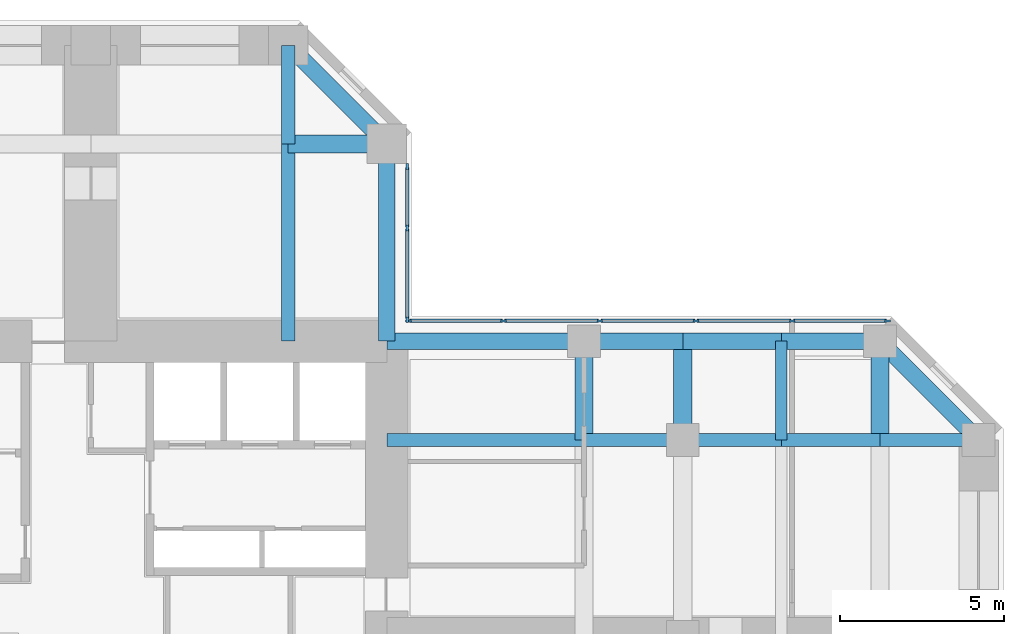
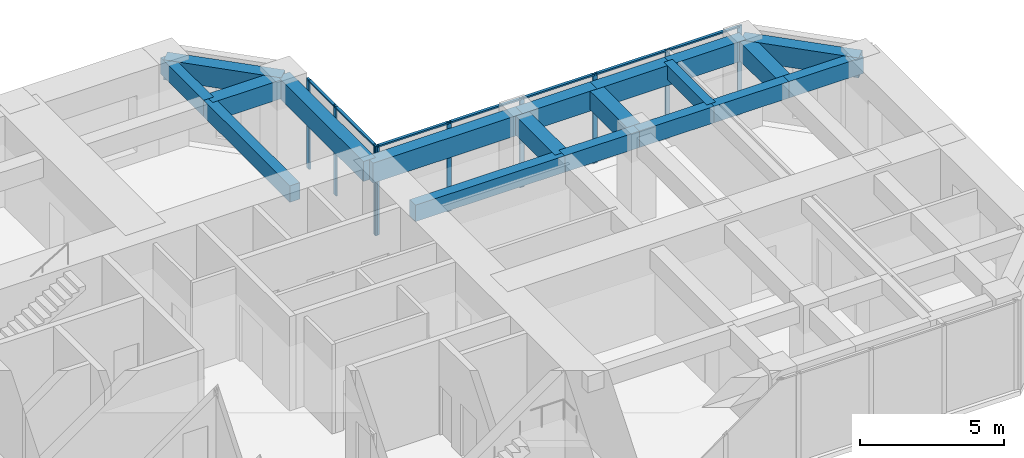
# One storey, part 6 of 12: 19 beams, 16 members, 2 elements without a shape of their own.
"""IFC4 building model written with IfcOpenShell, lengths in metres."""

from ifc_helpers import new_model, si_unit, direction, frame, origin, origin_2d, place, context, subcontext, project, spatial, rectangle, extrude, material, material_profile, profile_set, type_object, element, aggregate, save


model = new_model("IFC4")

# Units and contexts
model_context = context("Model", 3, precision=1e-05, world=origin(), true_north=direction((0.0, 1.0)))
body_context = subcontext(model_context, "Body", "Model", "MODEL_VIEW")
ifc_project = project(units=[si_unit("LENGTHUNIT", "METRE"), si_unit("AREAUNIT", "SQUARE_METRE"), si_unit("VOLUMEUNIT", "CUBIC_METRE"), si_unit("PLANEANGLEUNIT", "RADIAN"), si_unit("MASSUNIT", "GRAM", prefix="KILO")], contexts=[model_context])

# Site, building, storey
site_placement = place(None, origin())
site = spatial("IfcSite", under=ifc_project, at=site_placement, CompositionType="ELEMENT")
building_placement = place(site_placement, origin())
building = spatial("IfcBuilding", under=site, at=building_placement, Name="Torre Cruceta", CompositionType="ELEMENT")
storey_placement = place(building_placement, frame((0.0, 0.0, 108.5)))
storey = spatial("IfcBuildingStorey", under=building, at=storey_placement, Name="L26", CompositionType="ELEMENT", Elevation=108.5)

# Beams
ifc_material_1 = material(Name="Concrete G60 (fck 60 MPa)", Category="concrete")
ifc_material_profile_1 = material_profile(ifc_material_1, rectangle(XDim=0.39990234375, YDim=0.699951171875, at=origin_2d()), Name="RC 400X700")
ifc_profile_set_1 = profile_set([ifc_material_profile_1], Name="Concrete G60 (fck 60 MPa)")
beam_type_1 = type_object("IfcBeamType", Name="COLUMN LINE BEAM RC 400X700", PredefinedType="BEAM", material=ifc_profile_set_1)
beam_1_placement = place(storey_placement, frame((6.0, 9.0, 3.449951171875), z_axis=(0.0, 1.0, 0.0), x_axis=(-1.0, 0.0, 0.0)))
element("IfcBeam", 1, at=beam_1_placement, inside=storey, type_object=beam_type_1, Name="LB5 L26 N col- 1", PredefinedType="BEAM", context=body_context, shape_type="SweptSolid", body=[
    extrude(rectangle(XDim=0.39990234375, YDim=0.699951171875, at=origin_2d()), origin(), (0.0, 0.0, 1.0), 6.0),
])
beam_2_placement = place(storey_placement, frame((6.0, 15.0, 3.449951171875), z_axis=(0.0, 1.0, 0.0), x_axis=(-1.0, 0.0, 0.0)))
element("IfcBeam", 2, at=beam_2_placement, inside=storey, type_object=beam_type_1, Name="LB5 L26 N col- 2", PredefinedType="BEAM", context=body_context, shape_type="SweptSolid", body=[
    extrude(rectangle(XDim=0.39990234375, YDim=0.699951171875, at=origin_2d()), origin(), (0.0, 0.0, 1.0), 3.0),
])
beam_3_placement = place(storey_placement, frame((9.0, 6.0, 3.449951171875), z_axis=(1.0, 0.0, 0.0), x_axis=(0.0, 1.0, 0.0)))
element("IfcBeam", 3, at=beam_3_placement, inside=storey, type_object=beam_type_1, Name="LB5 L26 E col+ 1", PredefinedType="BEAM", context=body_context, shape_type="SweptSolid", body=[
    extrude(rectangle(XDim=0.39990234375, YDim=0.699951171875, at=origin_2d()), origin(), (0.0, 0.0, 1.0), 6.0),
])
for number, where, z_axis, x_axis, name in (
    (4, (15.0, 6.0, 3.449951171875), (1.0, 0.0, 0.0), (0.0, 1.0, 0.0), "LB5 L26 E col+ 2"),
    (5, (18.0, 6.0, 3.449951171875), (1.0, 0.0, 0.0), (0.0, 1.0, 0.0), "LB5 L26 E col+ 3"),
    (6, (21.0, 6.0, 3.449951171875), (1.0, 0.0, 0.0), (0.0, 1.0, 0.0), "LB5 L26 E col+ 4"),
    (7, (24.0, 6.0, 3.449951171875), (1.0, 0.0, 0.0), (0.0, 1.0, 0.0), "LB5 L26 E col+ 5"),
):
    element("IfcBeam", number, at=place(storey_placement, frame(where, z_axis=z_axis, x_axis=x_axis)), inside=storey, type_object=beam_type_1, Name=name, PredefinedType="BEAM", context=body_context, shape_type="SweptSolid", body=[
        extrude(rectangle(XDim=0.39990234375, YDim=0.699951171875, at=origin_2d()), origin(), (0.0, 0.0, 1.0), 3.0),
    ])
ifc_material_2 = material(Name="Concrete G60 (fck 60 MPa)", Category="concrete")
ifc_material_profile_2 = material_profile(ifc_material_2, rectangle(XDim=0.550048828125, YDim=0.800048828125, at=origin_2d()), Name="RC 550X800")
ifc_profile_set_2 = profile_set([ifc_material_profile_2], Name="Concrete G60 (fck 60 MPa)")
beam_type_2 = type_object("IfcBeamType", Name="CROSS BEAM RC 550X800", PredefinedType="BEAM", material=ifc_profile_set_2)
for number, where, z_axis, x_axis, name in (
    (8, (9.0, 15.0, 3.39990234375), (-1.0, 0.0, 0.0), (0.0, -1.0, 0.0), "GB5 L26 N cross15 1"),
    (9, (15.0, 6.0, 3.39990234375), (0.0, 1.0, 0.0), (-1.0, 0.0, 0.0), "GB5 L26 E cross15 4"),
    (10, (18.0, 6.0, 3.39990234375), (0.0, 1.0, 0.0), (-1.0, 0.0, 0.0), "GB5 L26 E cross18 4"),
    (11, (24.0, 6.0, 3.39990234375), (0.0, 1.0, 0.0), (-1.0, 0.0, 0.0), "GB5 L26 E cross24 4"),
):
    element("IfcBeam", number, at=place(storey_placement, frame(where, z_axis=z_axis, x_axis=x_axis)), inside=storey, type_object=beam_type_2, Name=name, PredefinedType="BEAM", context=body_context, shape_type="SweptSolid", body=[
        extrude(rectangle(XDim=0.550048828125, YDim=0.800048828125, at=origin_2d()), origin(), (0.0, 0.0, 1.0), 3.0),
    ])

# Curtain wall, members
ifc_material_3 = material(Name="Aluminium unitised curtain wall", Category="aluminium")
curtain_wall_type = type_object("IfcCurtainWallType", Name="CURTAIN WALL CW-B OFFICE MID RISE", PredefinedType="USERDEFINED", material=ifc_material_3)
curtain_wall_1_placement = place(storey_placement, origin())
curtain_wall_1 = element("IfcCurtainWall", 12, at=curtain_wall_1_placement, inside=storey, type_object=curtain_wall_type, Name="CW-B L26 E side 04", ObjectType="UNITISED", PredefinedType="USERDEFINED")
ifc_material_4 = material(Name="Aluminium mullion", Category="aluminium")
ifc_material_profile_3 = material_profile(ifc_material_4, rectangle(XDim=0.06494140625, YDim=0.179931640625, at=origin_2d()), Name="AL 65X180")
ifc_profile_set_3 = profile_set([ifc_material_profile_3], Name="Aluminium mullion")
member_type_1 = type_object("IfcMemberType", Name="CW-B MULLION 65X180", PredefinedType="MULLION", material=ifc_profile_set_3)
member_1_placement = place(storey_placement, frame((24.224365234375, 9.6201171875, 0.0), z_axis=(0.0, 0.0, 1.0), x_axis=(0.0, -1.0, 0.0)))
member_1 = element("IfcMember", 13, at=member_1_placement, type_object=member_type_1, Name="CW-B mullion 1", PredefinedType="MULLION", context=body_context, shape_type="SweptSolid", body=[
    extrude(rectangle(XDim=0.06494140625, YDim=0.179931640625, at=origin_2d()), origin(), (0.0, 0.0, 1.0), 3.800048828125),
])
member_2_placement = place(storey_placement, frame((21.329345703125, 9.6201171875, 0.0), z_axis=(0.0, 0.0, 1.0), x_axis=(0.0, -1.0, 0.0)))
member_2 = element("IfcMember", 14, at=member_2_placement, type_object=member_type_1, Name="CW-B mullion 2", PredefinedType="MULLION", context=body_context, shape_type="SweptSolid", body=[
    extrude(rectangle(XDim=0.06494140625, YDim=0.179931640625, at=origin_2d()), origin(), (0.0, 0.0, 1.0), 3.800048828125),
])
member_3_placement = place(storey_placement, frame((18.402099609375, 9.6201171875, 0.0), z_axis=(0.0, 0.0, 1.0), x_axis=(0.0, -1.0, 0.0)))
member_3 = element("IfcMember", 15, at=member_3_placement, type_object=member_type_1, Name="CW-B mullion 3", PredefinedType="MULLION", context=body_context, shape_type="SweptSolid", body=[
    extrude(rectangle(XDim=0.06494140625, YDim=0.179931640625, at=origin_2d()), origin(), (0.0, 0.0, 1.0), 3.800048828125),
])
member_4_placement = place(storey_placement, frame((15.474609375, 9.6201171875, 0.0), z_axis=(0.0, 0.0, 1.0), x_axis=(0.0, -1.0, 0.0)))
member_4 = element("IfcMember", 16, at=member_4_placement, type_object=member_type_1, Name="CW-B mullion 4", PredefinedType="MULLION", context=body_context, shape_type="SweptSolid", body=[
    extrude(rectangle(XDim=0.06494140625, YDim=0.179931640625, at=origin_2d()), origin(), (0.0, 0.0, 1.0), 3.800048828125),
])
member_5_placement = place(storey_placement, frame((12.54736328125, 9.6201171875, 0.0), z_axis=(0.0, 0.0, 1.0), x_axis=(0.0, -1.0, 0.0)))
member_5 = element("IfcMember", 17, at=member_5_placement, type_object=member_type_1, Name="CW-B mullion 5", PredefinedType="MULLION", context=body_context, shape_type="SweptSolid", body=[
    extrude(rectangle(XDim=0.06494140625, YDim=0.179931640625, at=origin_2d()), origin(), (0.0, 0.0, 1.0), 3.800048828125),
])
member_6_placement = place(storey_placement, frame((9.652587890625, 9.6201171875, 0.0), z_axis=(0.0, 0.0, 1.0), x_axis=(0.0, -1.0, 0.0)))
member_6 = element("IfcMember", 18, at=member_6_placement, type_object=member_type_1, Name="CW-B mullion 6", PredefinedType="MULLION", context=body_context, shape_type="SweptSolid", body=[
    extrude(rectangle(XDim=0.06494140625, YDim=0.179931640625, at=origin_2d()), origin(), (0.0, 0.0, 1.0), 3.800048828125),
])

curtain_wall_2_placement = place(storey_placement, origin())
curtain_wall_2 = element("IfcCurtainWall", 19, at=curtain_wall_2_placement, inside=storey, type_object=curtain_wall_type, Name="CW-B L26 N side 05", ObjectType="UNITISED", PredefinedType="USERDEFINED")
member_7_placement = place(storey_placement, frame((9.6201171875, 9.652587890625, 0.0), z_axis=(0.0, 0.0, 1.0), x_axis=(-1.0, 0.0, 0.0)))
member_7 = element("IfcMember", 20, at=member_7_placement, type_object=member_type_1, Name="CW-B mullion 1", PredefinedType="MULLION", context=body_context, shape_type="SweptSolid", body=[
    extrude(rectangle(XDim=0.06494140625, YDim=0.179931640625, at=origin_2d()), origin(), (0.0, 0.0, 1.0), 3.800048828125),
])
member_8_placement = place(storey_placement, frame((9.6201171875, 12.4384765625, 0.0), z_axis=(0.0, 0.0, 1.0), x_axis=(-1.0, 0.0, 0.0)))
member_8 = element("IfcMember", 21, at=member_8_placement, type_object=member_type_1, Name="CW-B mullion 2", PredefinedType="MULLION", context=body_context, shape_type="SweptSolid", body=[
    extrude(rectangle(XDim=0.06494140625, YDim=0.179931640625, at=origin_2d()), origin(), (0.0, 0.0, 1.0), 3.800048828125),
])
member_9_placement = place(storey_placement, frame((9.6201171875, 14.30908203125, 0.0), z_axis=(0.0, 0.0, 1.0), x_axis=(-1.0, 0.0, 0.0)))
member_9 = element("IfcMember", 22, at=member_9_placement, type_object=member_type_1, Name="CW-B mullion 3", PredefinedType="MULLION", context=body_context, shape_type="SweptSolid", body=[
    extrude(rectangle(XDim=0.06494140625, YDim=0.179931640625, at=origin_2d()), origin(), (0.0, 0.0, 1.0), 3.800048828125),
])

# Member
ifc_material_5 = material(Name="Aluminium transom", Category="aluminium")
ifc_material_profile_4 = material_profile(ifc_material_5, rectangle(XDim=0.110107421875, YDim=0.06494140625, at=origin_2d()), Name="AL 110X65")
ifc_profile_set_4 = profile_set([ifc_material_profile_4], Name="Aluminium transom")
member_type_2 = type_object("IfcMemberType", Name="CW-B TRANSOM 65X110", PredefinedType="USERDEFINED", material=ifc_profile_set_4)
member_10_placement = place(storey_placement, frame((24.19189453125, 9.6201171875, 3.767578125), z_axis=(-1.0, 0.0, 0.0), x_axis=(0.0, -1.0, 0.0)))
member_10 = element("IfcMember", 23, at=member_10_placement, type_object=member_type_2, Name="CW-B transom 1", ObjectType="TRANSOM", PredefinedType="USERDEFINED", context=body_context, shape_type="SweptSolid", body=[
    extrude(rectangle(XDim=0.110107421875, YDim=0.06494140625, at=origin_2d()), origin(), (0.0, 0.0, 1.0), 2.829833984375),
])

member_11_placement = place(storey_placement, frame((21.296875, 9.6201171875, 3.767578125), z_axis=(-1.0, 0.0, 0.0), x_axis=(0.0, -1.0, 0.0)))
member_11 = element("IfcMember", 24, at=member_11_placement, type_object=member_type_2, Name="CW-B transom 2", ObjectType="TRANSOM", PredefinedType="USERDEFINED", context=body_context, shape_type="SweptSolid", body=[
    extrude(rectangle(XDim=0.110107421875, YDim=0.06494140625, at=origin_2d()), origin(), (0.0, 0.0, 1.0), 2.8623046875),
])

member_12_placement = place(storey_placement, frame((18.36962890625, 9.6201171875, 3.767578125), z_axis=(-1.0, 0.0, 0.0), x_axis=(0.0, -1.0, 0.0)))
member_12 = element("IfcMember", 25, at=member_12_placement, type_object=member_type_2, Name="CW-B transom 3", ObjectType="TRANSOM", PredefinedType="USERDEFINED", context=body_context, shape_type="SweptSolid", body=[
    extrude(rectangle(XDim=0.110107421875, YDim=0.06494140625, at=origin_2d()), origin(), (0.0, 0.0, 1.0), 2.8623046875),
])

member_13_placement = place(storey_placement, frame((15.442138671875, 9.6201171875, 3.767578125), z_axis=(-1.0, 0.0, 0.0), x_axis=(0.0, -1.0, 0.0)))
member_13 = element("IfcMember", 26, at=member_13_placement, type_object=member_type_2, Name="CW-B transom 4", ObjectType="TRANSOM", PredefinedType="USERDEFINED", context=body_context, shape_type="SweptSolid", body=[
    extrude(rectangle(XDim=0.110107421875, YDim=0.06494140625, at=origin_2d()), origin(), (0.0, 0.0, 1.0), 2.8623046875),
])

member_14_placement = place(storey_placement, frame((12.514892578125, 9.6201171875, 3.767578125), z_axis=(-1.0, 0.0, 0.0), x_axis=(0.0, -1.0, 0.0)))
member_14 = element("IfcMember", 27, at=member_14_placement, type_object=member_type_2, Name="CW-B transom 5", ObjectType="TRANSOM", PredefinedType="USERDEFINED", context=body_context, shape_type="SweptSolid", body=[
    extrude(rectangle(XDim=0.110107421875, YDim=0.06494140625, at=origin_2d()), origin(), (0.0, 0.0, 1.0), 2.829833984375),
])

aggregate(curtain_wall_1, [member_1, member_2, member_3, member_4, member_5, member_6, member_10, member_11, member_12, member_13, member_14])

member_15_placement = place(storey_placement, frame((9.6201171875, 9.68505859375, 3.767578125), z_axis=(0.0, 1.0, 0.0), x_axis=(-1.0, 0.0, 0.0)))
member_15 = element("IfcMember", 28, at=member_15_placement, type_object=member_type_2, Name="CW-B transom 1", ObjectType="TRANSOM", PredefinedType="USERDEFINED", context=body_context, shape_type="SweptSolid", body=[
    extrude(rectangle(XDim=0.110107421875, YDim=0.06494140625, at=origin_2d()), origin(), (0.0, 0.0, 1.0), 2.720947265625),
])

member_16_placement = place(storey_placement, frame((9.6201171875, 12.470947265625, 3.767578125), z_axis=(0.0, 1.0, 0.0), x_axis=(-1.0, 0.0, 0.0)))
member_16 = element("IfcMember", 29, at=member_16_placement, type_object=member_type_2, Name="CW-B transom 2", ObjectType="TRANSOM", PredefinedType="USERDEFINED", context=body_context, shape_type="SweptSolid", body=[
    extrude(rectangle(XDim=0.110107421875, YDim=0.06494140625, at=origin_2d()), origin(), (0.0, 0.0, 1.0), 1.8056640625),
])

aggregate(curtain_wall_2, [member_7, member_8, member_9, member_15, member_16])

# Beams
ifc_material_6 = material(Name="Concrete G60 (fck 60 MPa)", Category="concrete")
ifc_material_profile_5 = material_profile(ifc_material_6, rectangle(XDim=0.35009765625, YDim=0.60009765625, at=origin_2d()), Name="RC 350X600")
ifc_profile_set_5 = profile_set([ifc_material_profile_5], Name="Concrete G60 (fck 60 MPa)")
beam_type_3 = type_object("IfcBeamType", Name="SECONDARY BEAM RC 350X600", PredefinedType="JOIST", material=ifc_profile_set_5)
beam_4_placement = place(storey_placement, frame((21.0, 6.0, 3.5), z_axis=(0.0, 1.0, 0.0), x_axis=(-1.0, 0.0, 0.0)))
element("IfcBeam", 30, at=beam_4_placement, inside=storey, type_object=beam_type_3, Name="JB5 L26 E sec21 4", PredefinedType="JOIST", context=body_context, shape_type="SweptSolid", body=[
    extrude(rectangle(XDim=0.35009765625, YDim=0.60009765625, at=origin_2d()), origin(), (0.0, 0.0, 1.0), 3.0),
])
ifc_material_7 = material(Name="Concrete G60 (fck 60 MPa)", Category="concrete")
ifc_material_profile_6 = material_profile(ifc_material_7, rectangle(XDim=0.5, YDim=0.85009765625, at=origin_2d()), Name="RC 500X850")
ifc_profile_set_6 = profile_set([ifc_material_profile_6], Name="Concrete G60 (fck 60 MPa)")
beam_type_4 = type_object("IfcBeamType", Name="SPANDREL BEAM RC 500X850", PredefinedType="SPANDREL", material=ifc_profile_set_6)
beam_5_placement = place(storey_placement, frame((9.0, 9.0, 3.375), z_axis=(0.0, 1.0, 0.0), x_axis=(-1.0, 0.0, 0.0)))
element("IfcBeam", 31, at=beam_5_placement, inside=storey, type_object=beam_type_4, Name="SB5 L26 N side- 1", PredefinedType="SPANDREL", context=body_context, shape_type="SweptSolid", body=[
    extrude(rectangle(XDim=0.5, YDim=0.85009765625, at=origin_2d()), origin(), (0.0, 0.0, 1.0), 6.0),
])
beam_6_placement = place(storey_placement, frame((9.0, 15.0, 3.375), z_axis=(-0.707106781187, 0.707106781187, 0.0), x_axis=(-0.707106781187, -0.707106781187, 0.0)))
element("IfcBeam", 32, at=beam_6_placement, inside=storey, type_object=beam_type_4, Name="SB5 L26 N side- 2", PredefinedType="SPANDREL", context=body_context, shape_type="SweptSolid", body=[
    extrude(rectangle(XDim=0.5, YDim=0.85009765625, at=origin_2d()), origin(), (0.0, 0.0, 1.0), 4.24267578125),
])
beam_7_placement = place(storey_placement, frame((9.0, 9.0, 3.375), z_axis=(1.0, 0.0, 0.0), x_axis=(0.0, 1.0, 0.0)))
element("IfcBeam", 33, at=beam_7_placement, inside=storey, type_object=beam_type_4, Name="SB5 L26 E side+ 1", PredefinedType="SPANDREL", context=body_context, shape_type="SweptSolid", body=[
    extrude(rectangle(XDim=0.5, YDim=0.85009765625, at=origin_2d()), origin(), (0.0, 0.0, 1.0), 6.0),
])
for number, where, z_axis, x_axis, name in (
    (34, (15.0, 9.0, 3.375), (1.0, 0.0, 0.0), (0.0, 1.0, 0.0), "SB5 L26 E side+ 2"),
    (35, (18.0, 9.0, 3.375), (1.0, 0.0, 0.0), (0.0, 1.0, 0.0), "SB5 L26 E side+ 3"),
    (36, (21.0, 9.0, 3.375), (1.0, 0.0, 0.0), (0.0, 1.0, 0.0), "SB5 L26 E side+ 4"),
):
    element("IfcBeam", number, at=place(storey_placement, frame(where, z_axis=z_axis, x_axis=x_axis)), inside=storey, type_object=beam_type_4, Name=name, PredefinedType="SPANDREL", context=body_context, shape_type="SweptSolid", body=[
        extrude(rectangle(XDim=0.5, YDim=0.85009765625, at=origin_2d()), origin(), (0.0, 0.0, 1.0), 3.0),
    ])
beam_8_placement = place(storey_placement, frame((24.0, 9.0, 3.375), z_axis=(0.707106781187, -0.707106781187, 0.0), x_axis=(0.707106781187, 0.707106781187, 0.0)))
element("IfcBeam", 37, at=beam_8_placement, inside=storey, type_object=beam_type_4, Name="SB5 L26 E side+ 5", PredefinedType="SPANDREL", context=body_context, shape_type="SweptSolid", body=[
    extrude(rectangle(XDim=0.5, YDim=0.85009765625, at=origin_2d()), origin(), (0.0, 0.0, 1.0), 4.24267578125),
])

save(model, "model.ifc")
